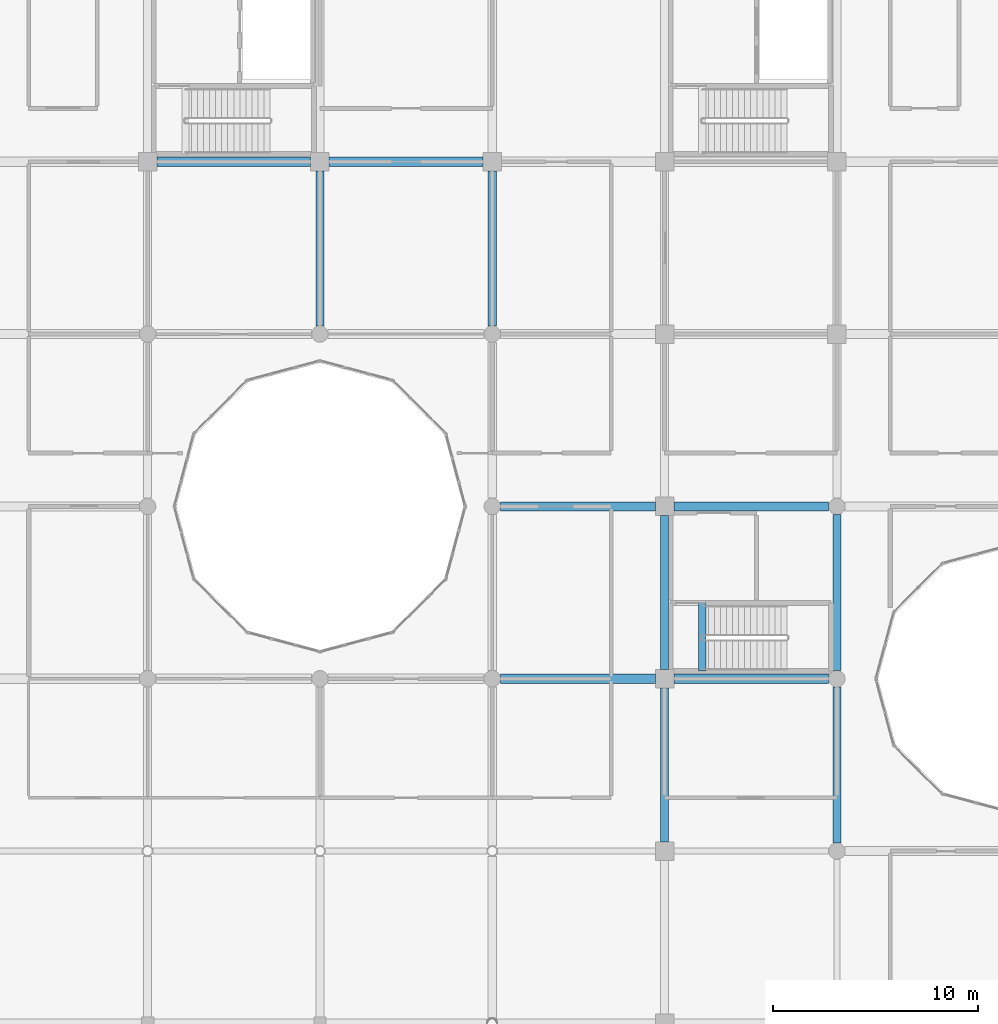
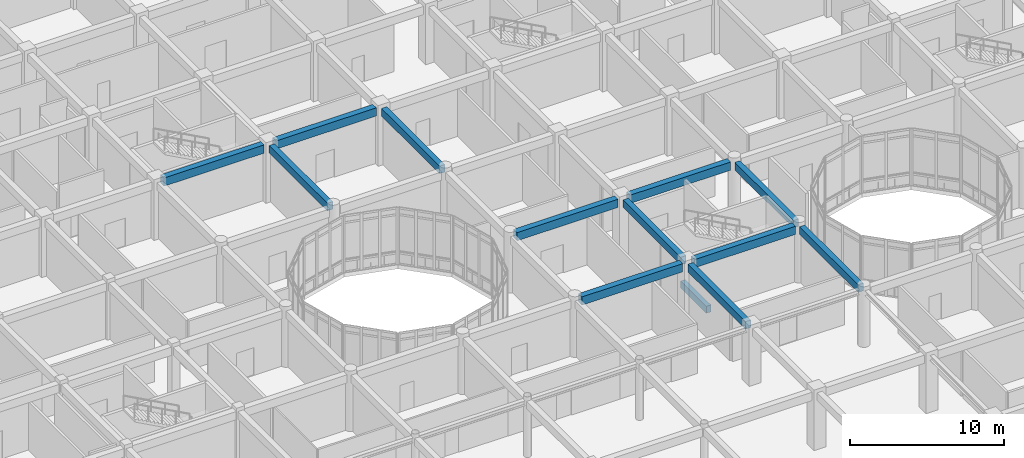
# One storey, part 41 of 138: 13 beams.
"""IFC4 building model written with IfcOpenShell, lengths in metres."""

from ifc_helpers import new_model, si_unit, direction, frame, origin, origin_2d, place, context, subcontext, project, spatial, rectangle, extrude, material, material_profile, profile_set, type_object, element, save


model = new_model("IFC4")

# Units and contexts
model_context = context("Model", 3, precision=1e-05, world=origin(), true_north=direction((0.0, 1.0)))
body_context = subcontext(model_context, "Body", "Model", "MODEL_VIEW")
ifc_project = project(units=[si_unit("LENGTHUNIT", "METRE"), si_unit("AREAUNIT", "SQUARE_METRE"), si_unit("VOLUMEUNIT", "CUBIC_METRE"), si_unit("PLANEANGLEUNIT", "RADIAN"), si_unit("MASSUNIT", "GRAM", prefix="KILO")], contexts=[model_context])

# Site, building, storey
site_placement = place(None, origin())
site = spatial("IfcSite", under=ifc_project, at=site_placement, CompositionType="ELEMENT")
building_placement = place(site_placement, origin())
building = spatial("IfcBuilding", under=site, at=building_placement, Name="Bramfleet General Hospital", CompositionType="ELEMENT")
storey_placement = place(building_placement, origin())
storey = spatial("IfcBuildingStorey", under=building, at=storey_placement, Name="L00", CompositionType="ELEMENT", Elevation=0.0)

# Beams
ifc_material = material(Name="Concrete C35/45", Category="concrete")
ifc_material_profile_1 = material_profile(ifc_material, rectangle(XDim=0.35009765625, YDim=0.550048828125, at=origin_2d()), Name="RC BM 550x350")
ifc_profile_set_1 = profile_set([ifc_material_profile_1], Name="Concrete C35/45")
beam_type_1 = type_object("IfcBeamType", Name="BM-RC550", PredefinedType="BEAM", material=ifc_profile_set_1)
beam_1_placement = place(storey_placement, frame((102.639892578125, 67.580078125, -0.27490234375), z_axis=(0.0, 1.0, 0.0), x_axis=(-1.0, 0.0, 0.0)))
element("IfcBeam", 1, at=beam_1_placement, inside=storey, type_object=beam_type_1, Name="L00 C11 Stairwell Trimmer Beam", PredefinedType="BEAM", context=body_context, shape_type="SweptSolid", body=[
    extrude(rectangle(XDim=0.35009765625, YDim=0.550048828125, at=origin_2d()), origin(), (0.0, 0.0, 1.0), 3.31982421875),
])
ifc_material_profile_2 = material_profile(ifc_material, rectangle(XDim=0.39990234375, YDim=0.60009765625, at=origin_2d()), Name="RC BM 600x400")
ifc_profile_set_2 = profile_set([ifc_material_profile_2], Name="Concrete C35/45")
beam_type_2 = type_object("IfcBeamType", Name="BM-RC600", PredefinedType="BEAM", material=ifc_profile_set_2)
for number, where, z_axis, x_axis, name in (
    (2, (84.0, 84.39990234375, 4.199951171875), (0.0, 1.0, 0.0), (-1.0, 0.0, 0.0), "L00 Grid Beam Y 10-10"),
    (3, (92.39990234375, 84.39990234375, 4.199951171875), (0.0, 1.0, 0.0), (-1.0, 0.0, 0.0), "L00 Grid Beam Y 11-10"),
):
    element("IfcBeam", number, at=place(storey_placement, frame(where, z_axis=z_axis, x_axis=x_axis)), inside=storey, type_object=beam_type_2, Name=name, PredefinedType="BEAM", context=body_context, shape_type="SweptSolid", body=[
        extrude(rectangle(XDim=0.39990234375, YDim=0.60009765625, at=origin_2d()), origin(), (0.0, 0.0, 1.0), 7.550048828125),
    ])
for number, where, z_axis, x_axis, name in (
    (4, (100.800048828125, 59.25, 4.199951171875), (0.0, 1.0, 0.0), (-1.0, 0.0, 0.0), "L00 Grid Beam Y 12-07"),
    (5, (100.800048828125, 67.64990234375, 4.199951171875), (0.0, 1.0, 0.0), (-1.0, 0.0, 0.0), "L00 Grid Beam Y 12-08"),
):
    element("IfcBeam", number, at=place(storey_placement, frame(where, z_axis=z_axis, x_axis=x_axis)), inside=storey, type_object=beam_type_2, Name=name, PredefinedType="BEAM", context=body_context, shape_type="SweptSolid", body=[
        extrude(rectangle(XDim=0.39990234375, YDim=0.60009765625, at=origin_2d()), origin(), (0.0, 0.0, 1.0), 7.5),
    ])
beam_2_placement = place(storey_placement, frame((109.199951171875, 59.199951171875, 4.199951171875), z_axis=(0.0, 1.0, 0.0), x_axis=(-1.0, 0.0, 0.0)))
element("IfcBeam", 6, at=beam_2_placement, inside=storey, type_object=beam_type_2, Name="L00 Grid Beam Y 13-07", PredefinedType="BEAM", context=body_context, shape_type="SweptSolid", body=[
    extrude(rectangle(XDim=0.39990234375, YDim=0.60009765625, at=origin_2d()), origin(), (0.0, 0.0, 1.0), 7.60009765625),
])
beam_3_placement = place(storey_placement, frame((109.199951171875, 67.60009765625, 4.199951171875), z_axis=(0.0, 1.0, 0.0), x_axis=(-1.0, 0.0, 0.0)))
element("IfcBeam", 7, at=beam_3_placement, inside=storey, type_object=beam_type_2, Name="L00 Grid Beam Y 13-08", PredefinedType="BEAM", context=body_context, shape_type="SweptSolid", body=[
    extrude(rectangle(XDim=0.39990234375, YDim=0.60009765625, at=origin_2d()), origin(), (0.0, 0.0, 1.0), 7.599853515625),
])
ifc_material_profile_3 = material_profile(ifc_material, rectangle(XDim=0.449951171875, YDim=0.64990234375, at=origin_2d()), Name="RC BM 650x450")
ifc_profile_set_3 = profile_set([ifc_material_profile_3], Name="Concrete C35/45")
beam_type_3 = type_object("IfcBeamType", Name="BM-RC650", PredefinedType="BEAM", material=ifc_profile_set_3)
for number, where, z_axis, x_axis, name in (
    (8, (76.050048828125, 92.39990234375, 4.175048828125), (1.0, 0.0, 0.0), (0.0, 1.0, 0.0), "L00 Grid Beam X 09-11"),
    (9, (84.449951171875, 92.39990234375, 4.175048828125), (1.0, 0.0, 0.0), (0.0, 1.0, 0.0), "L00 Grid Beam X 10-11"),
):
    element("IfcBeam", number, at=place(storey_placement, frame(where, z_axis=z_axis, x_axis=x_axis)), inside=storey, type_object=beam_type_3, Name=name, PredefinedType="BEAM", context=body_context, shape_type="SweptSolid", body=[
        extrude(rectangle(XDim=0.449951171875, YDim=0.64990234375, at=origin_2d()), origin(), (0.0, 0.0, 1.0), 7.5),
    ])
for number, where, z_axis, x_axis, name in (
    (10, (92.800048828125, 67.199951171875, 4.175048828125), (1.0, 0.0, 0.0), (0.0, 1.0, 0.0), "L00 Grid Beam X 11-08"),
    (11, (92.800048828125, 75.60009765625, 4.175048828125), (1.0, 0.0, 0.0), (0.0, 1.0, 0.0), "L00 Grid Beam X 11-09"),
    (12, (101.25, 67.199951171875, 4.175048828125), (1.0, 0.0, 0.0), (0.0, 1.0, 0.0), "L00 Grid Beam X 12-08"),
    (13, (101.25, 75.60009765625, 4.175048828125), (1.0, 0.0, 0.0), (0.0, 1.0, 0.0), "L00 Grid Beam X 12-09"),
):
    element("IfcBeam", number, at=place(storey_placement, frame(where, z_axis=z_axis, x_axis=x_axis)), inside=storey, type_object=beam_type_3, Name=name, PredefinedType="BEAM", context=body_context, shape_type="SweptSolid", body=[
        extrude(rectangle(XDim=0.449951171875, YDim=0.64990234375, at=origin_2d()), origin(), (0.0, 0.0, 1.0), 7.550048828125),
    ])

save(model, "model.ifc")
